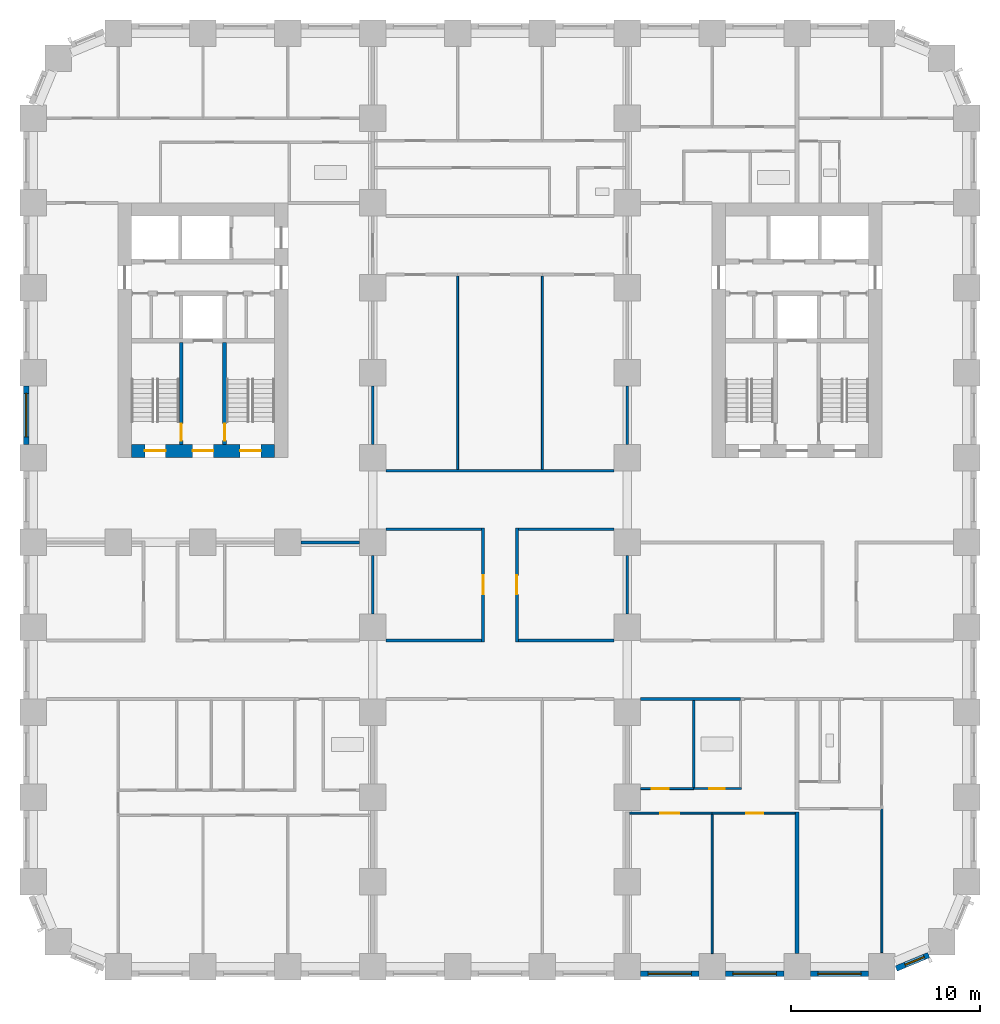
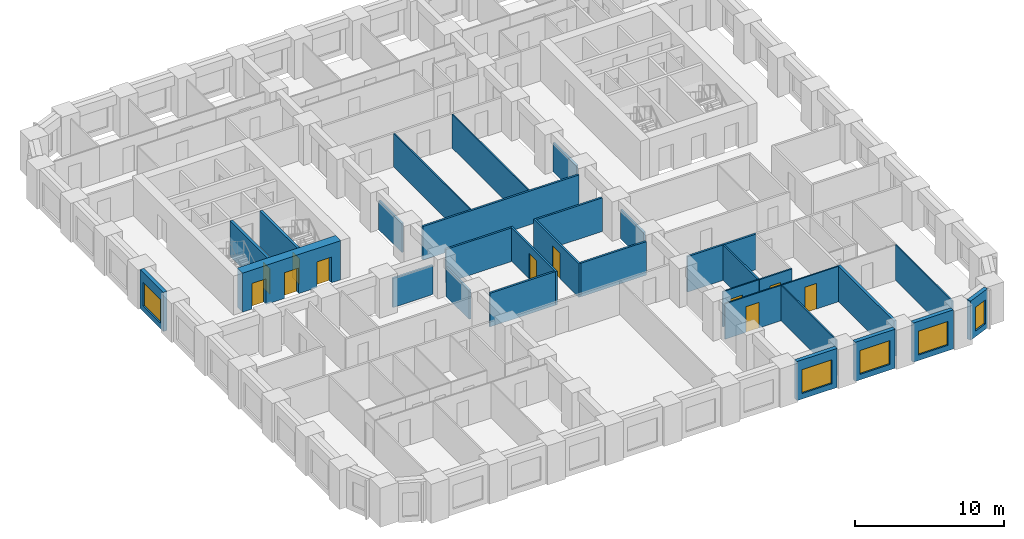
# One storey, part 4 of 13: 31 walls, 11 doors, 5 windows, 16 openings.
"""IFC4 building model written with IfcOpenShell, lengths in metres."""

from ifc_helpers import new_model, si_unit, direction, frame, frame_2d, origin, place, context, subcontext, project, spatial, rectangle, extrude, material, layer, layer_set, type_object, element, fill, save


model = new_model("IFC4")

# Units and contexts
model_context = context("Model", 3, precision=1e-05, world=origin(), true_north=direction((0.0, 1.0)))
body_context = subcontext(model_context, "Body", "Model", "MODEL_VIEW")
ifc_project = project(units=[si_unit("LENGTHUNIT", "METRE"), si_unit("AREAUNIT", "SQUARE_METRE"), si_unit("VOLUMEUNIT", "CUBIC_METRE"), si_unit("PLANEANGLEUNIT", "RADIAN"), si_unit("MASSUNIT", "GRAM", prefix="KILO")], contexts=[model_context])

# Site, building, storey
site_placement = place(None, origin())
site = spatial("IfcSite", under=ifc_project, at=site_placement, CompositionType="ELEMENT")
building_placement = place(site_placement, origin())
building = spatial("IfcBuilding", under=site, at=building_placement, Name="Girih Gate Residences", CompositionType="ELEMENT")
storey_placement = place(building_placement, frame((0.0, 0.0, 43.199951171875)))
storey = spatial("IfcBuildingStorey", under=building, at=storey_placement, Name="L10", CompositionType="ELEMENT", Elevation=43.199951171875)

# Wall
ifc_material_1 = material(Name="Gypsum board on steel studs", Category="steel")
ifc_layer_1 = layer(ifc_material_1, 0.14990234375)
ifc_layer_set_1 = layer_set([ifc_layer_1], Name="Compartment wall 150 mm")
wall_type_1 = type_object("IfcWallType", Name="Compartment wall 150 mm", PredefinedType="PARTITIONING", material=ifc_layer_set_1)
wall_1_placement = place(storey_placement, frame((32.199951171875, 14.199951171875, 0.0), z_axis=(0.0, 0.0, 1.0), x_axis=(1.0, 0.0, 0.0)))
element("IfcWall", 1, at=wall_1_placement, inside=storey, type_object=wall_type_1, Name="L10 partition", PredefinedType="PARTITIONING", context=body_context, shape_type="SweptSolid", body=[
    extrude(rectangle(XDim=5.300048828125, YDim=0.14990234375, at=frame_2d((2.64990234375, 0.0))), origin(), (0.0, 0.0, 1.0), 2.900146484375),
])

# Wall, opening, door
wall_2_placement = place(storey_placement, frame((23.85009765625, 17.22509765625, 0.0), z_axis=(0.0, 0.0, 1.0), x_axis=(0.0, 1.0, 0.0)))
wall_2 = element("IfcWall", 2, at=wall_2_placement, inside=storey, type_object=wall_type_1, Name="L10 partition", PredefinedType="PARTITIONING", context=body_context, shape_type="SweptSolid", body=[
    extrude(rectangle(XDim=6.0498046875, YDim=0.14990234375, at=frame_2d((3.02490234375, 0.0))), origin(), (0.0, 0.0, 1.0), 2.75),
])
opening_1_placement = place(wall_2_placement, frame((2.52490234375, 0.0, 0.0)))
opening_1 = element("IfcOpeningElement", 3, at=opening_1_placement, cuts=wall_2, Name="Opening A10-051", PredefinedType="OPENING", context=body_context, shape_type="SweptSolid", body=[
    extrude(rectangle(XDim=1.0, YDim=2.10009765625, at=frame_2d((0.5, 1.050048828125))), frame((0.0, 0.0849609375, 0.0), z_axis=(0.0, -1.0, 0.0), x_axis=(1.0, 0.0, 0.0)), (0.0, 0.0, 1.0), 0.169921875),
])
ifc_material_2 = material(Name="Timber, fire-rated core", Category="wood")
door_type_1 = type_object("IfcDoorType", Name="Amenity room door 1000x2100 FD30S", OperationType="NOTDEFINED", PredefinedType="DOOR", material=ifc_material_2)
door_1_placement = place(opening_1_placement, origin())
door_1 = element("IfcDoor", 4, at=door_1_placement, inside=storey, type_object=door_type_1, Name="Door A10-051", OperationType="SINGLE_SWING_RIGHT", OverallHeight=2.10009765625, OverallWidth=1.0, PredefinedType="DOOR", context=body_context, shape_type="SweptSolid", body=[
    extrude(rectangle(XDim=1.0, YDim=2.10009765625, at=frame_2d((0.5, 1.050048828125))), frame((0.0, 0.02490234375, 0.0), z_axis=(0.0, -1.0, 0.0), x_axis=(1.0, 0.0, 0.0)), (0.0, 0.0, 1.0), 0.050048828125),
])
fill(opening_1, door_1)

wall_3_placement = place(storey_placement, frame((25.64990234375, 23.27490234375, 0.0), z_axis=(0.0, 0.0, 1.0), x_axis=(0.0, -1.0, 0.0)))
wall_3 = element("IfcWall", 5, at=wall_3_placement, inside=storey, type_object=wall_type_1, Name="L10 partition", PredefinedType="PARTITIONING", context=body_context, shape_type="SweptSolid", body=[
    extrude(rectangle(XDim=6.0498046875, YDim=0.14990234375, at=frame_2d((3.02490234375, 0.0))), origin(), (0.0, 0.0, 1.0), 2.75),
])
opening_2_placement = place(wall_3_placement, frame((2.52490234375, 0.0, 0.0)))
opening_2 = element("IfcOpeningElement", 6, at=opening_2_placement, cuts=wall_3, Name="Opening A10-052", PredefinedType="OPENING", context=body_context, shape_type="SweptSolid", body=[
    extrude(rectangle(XDim=1.0, YDim=2.10009765625, at=frame_2d((0.5, 1.050048828125))), frame((0.0, 0.0849609375, 0.0), z_axis=(0.0, -1.0, 0.0), x_axis=(1.0, 0.0, 0.0)), (0.0, 0.0, 1.0), 0.169921875),
])
door_2_placement = place(opening_2_placement, origin())
door_2 = element("IfcDoor", 7, at=door_2_placement, inside=storey, type_object=door_type_1, Name="Door A10-052", OperationType="SINGLE_SWING_RIGHT", OverallHeight=2.10009765625, OverallWidth=1.0, PredefinedType="DOOR", context=body_context, shape_type="SweptSolid", body=[
    extrude(rectangle(XDim=1.0, YDim=2.10009765625, at=frame_2d((0.5, 1.050048828125))), frame((0.0, 0.02490234375, 0.0), z_axis=(0.0, -1.0, 0.0), x_axis=(1.0, 0.0, 0.0)), (0.0, 0.0, 1.0), 0.050048828125),
])
fill(opening_2, door_2)

# Walls
for number, where, z_axis, x_axis, name in (
    (8, (18.699951171875, 17.300048828125, 0.0), (0.0, 0.0, 1.0), (1.0, 0.0, 0.0), "L10 partition"),
    (9, (25.72509765625, 17.300048828125, 0.0), (0.0, 0.0, 1.0), (1.0, 0.0, 0.0), "L10 partition"),
):
    element("IfcWall", number, at=place(storey_placement, frame(where, z_axis=z_axis, x_axis=x_axis)), inside=storey, type_object=wall_type_1, Name=name, PredefinedType="PARTITIONING", context=body_context, shape_type="SweptSolid", body=[
        extrude(rectangle(XDim=5.074951171875, YDim=0.14990234375, at=frame_2d((2.53759765625, 0.0))), origin(), (0.0, 0.0, 1.0), 2.75),
    ])
wall_4_placement = place(storey_placement, frame((18.0, 27.699951171875, 0.0), z_axis=(0.0, 0.0, 1.0), x_axis=(0.0, 1.0, 0.0)))
element("IfcWall", 10, at=wall_4_placement, inside=storey, type_object=wall_type_1, Name="L10 partition", PredefinedType="PARTITIONING", context=body_context, shape_type="SweptSolid", body=[
    extrude(rectangle(XDim=3.10009765625, YDim=0.14990234375, at=frame_2d((1.550048828125, 0.0))), origin(), (0.0, 0.0, 1.0), 2.380126953125),
])
wall_5_placement = place(storey_placement, frame((18.699951171875, 26.300048828125, 0.0), z_axis=(0.0, 0.0, 1.0), x_axis=(1.0, 0.0, 0.0)))
element("IfcWall", 11, at=wall_5_placement, inside=storey, type_object=wall_type_1, Name="L10 partition", PredefinedType="PARTITIONING", context=body_context, shape_type="SweptSolid", body=[
    extrude(rectangle(XDim=12.10009765625, YDim=0.14990234375, at=frame_2d((6.050048828125, 0.0))), origin(), (0.0, 0.0, 1.0), 2.75),
])
wall_6_placement = place(storey_placement, frame((31.5, 27.699951171875, 0.0), z_axis=(0.0, 0.0, 1.0), x_axis=(0.0, 1.0, 0.0)))
element("IfcWall", 12, at=wall_6_placement, inside=storey, type_object=wall_type_1, Name="L10 partition", PredefinedType="PARTITIONING", context=body_context, shape_type="SweptSolid", body=[
    extrude(rectangle(XDim=3.10009765625, YDim=0.14990234375, at=frame_2d((1.550048828125, 0.0))), origin(), (0.0, 0.0, 1.0), 2.380126953125),
])
wall_7_placement = place(storey_placement, frame((18.699951171875, 23.199951171875, 0.0), z_axis=(0.0, 0.0, 1.0), x_axis=(1.0, 0.0, 0.0)))
element("IfcWall", 13, at=wall_7_placement, inside=storey, type_object=wall_type_1, Name="L10 partition", PredefinedType="PARTITIONING", context=body_context, shape_type="SweptSolid", body=[
    extrude(rectangle(XDim=5.074951171875, YDim=0.14990234375, at=frame_2d((2.53759765625, 0.0))), origin(), (0.0, 0.0, 1.0), 2.75),
])
wall_8_placement = place(storey_placement, frame((18.0, 18.699951171875, 0.0), z_axis=(0.0, 0.0, 1.0), x_axis=(0.0, 1.0, 0.0)))
element("IfcWall", 14, at=wall_8_placement, inside=storey, type_object=wall_type_1, Name="L10 partition", PredefinedType="PARTITIONING", context=body_context, shape_type="SweptSolid", body=[
    extrude(rectangle(XDim=3.10009765625, YDim=0.14990234375, at=frame_2d((1.550048828125, 0.0))), origin(), (0.0, 0.0, 1.0), 2.380126953125),
])
wall_9_placement = place(storey_placement, frame((25.72509765625, 23.199951171875, 0.0), z_axis=(0.0, 0.0, 1.0), x_axis=(1.0, 0.0, 0.0)))
element("IfcWall", 15, at=wall_9_placement, inside=storey, type_object=wall_type_1, Name="L10 partition", PredefinedType="PARTITIONING", context=body_context, shape_type="SweptSolid", body=[
    extrude(rectangle(XDim=5.074951171875, YDim=0.14990234375, at=frame_2d((2.53759765625, 0.0))), origin(), (0.0, 0.0, 1.0), 2.75),
])
for number, where, z_axis, x_axis, name in (
    (16, (31.5, 18.699951171875, 0.0), (0.0, 0.0, 1.0), (0.0, 1.0, 0.0), "L10 partition"),
    (17, (14.199951171875, 22.5, 0.0), (0.0, 0.0, 1.0), (1.0, 0.0, 0.0), "L10 partition"),
):
    element("IfcWall", number, at=place(storey_placement, frame(where, z_axis=z_axis, x_axis=x_axis)), inside=storey, type_object=wall_type_1, Name=name, PredefinedType="PARTITIONING", context=body_context, shape_type="SweptSolid", body=[
        extrude(rectangle(XDim=3.10009765625, YDim=0.14990234375, at=frame_2d((1.550048828125, 0.0))), origin(), (0.0, 0.0, 1.0), 2.380126953125),
    ])

# Wall, openings, doors
ifc_material_3 = material(Name="Concrete C60/75", Category="concrete")
ifc_layer_2 = layer(ifc_material_3, 0.699951171875)
ifc_layer_set_2 = layer_set([ifc_layer_2], Name="Core wall RC 700 Concrete C60/75")
wall_type_2 = type_object("IfcWallType", Name="Core wall RC 700 Concrete C60/75", PredefinedType="SOLIDWALL", material=ifc_layer_set_2)
wall_10_placement = place(storey_placement, frame((5.199951171875, 27.35009765625, 0.0), z_axis=(0.0, 0.0, 1.0), x_axis=(1.0, 0.0, 0.0)))
wall_10 = element("IfcWall", 18, at=wall_10_placement, inside=storey, type_object=wall_type_2, Name="Core wall W-S L10", PredefinedType="SOLIDWALL", context=body_context, shape_type="SweptSolid", body=[
    extrude(rectangle(XDim=7.60009765625, YDim=0.699951171875, at=frame_2d((3.800048828125, 0.0))), origin(), (0.0, 0.0, 1.0), 3.199951171875),
])
opening_3_placement = place(wall_10_placement, frame((0.72509765625, 0.0, 0.0)))
opening_3 = element("IfcOpeningElement", 19, at=opening_3_placement, cuts=wall_10, Name="Opening D-L10-W-010", PredefinedType="OPENING", context=body_context, shape_type="SweptSolid", body=[
    extrude(rectangle(XDim=1.10009765625, YDim=2.10009765625, at=frame_2d((0.550048828125, 1.050048828125))), frame((0.0, 0.35986328125, 0.0), z_axis=(0.0, -1.0, 0.0), x_axis=(1.0, 0.0, 0.0)), (0.0, 0.0, 1.0), 0.719970703125),
])
opening_4_placement = place(wall_10_placement, frame((3.25, 0.0, 0.0)))
opening_4 = element("IfcOpeningElement", 20, at=opening_4_placement, cuts=wall_10, Name="Opening D-L10-W-011", PredefinedType="OPENING", context=body_context, shape_type="SweptSolid", body=[
    extrude(rectangle(XDim=1.10009765625, YDim=2.10009765625, at=frame_2d((0.550048828125, 1.050048828125))), frame((0.0, 0.35986328125, 0.0), z_axis=(0.0, -1.0, 0.0), x_axis=(1.0, 0.0, 0.0)), (0.0, 0.0, 1.0), 0.719970703125),
])
opening_5_placement = place(wall_10_placement, frame((5.77490234375, 0.0, 0.0)))
opening_5 = element("IfcOpeningElement", 21, at=opening_5_placement, cuts=wall_10, Name="Opening D-L10-W-012", PredefinedType="OPENING", context=body_context, shape_type="SweptSolid", body=[
    extrude(rectangle(XDim=1.10009765625, YDim=2.10009765625, at=frame_2d((0.550048828125, 1.050048828125))), frame((0.0, 0.35986328125, 0.0), z_axis=(0.0, -1.0, 0.0), x_axis=(1.0, 0.0, 0.0)), (0.0, 0.0, 1.0), 0.719970703125),
])
ifc_material_4 = material(Name="Painted steel, fire-resisting", Category="steel")
door_type_2 = type_object("IfcDoorType", Name="Fire door 1100x2100", OperationType="SINGLE_SWING_LEFT", PredefinedType="DOOR", material=ifc_material_4)
door_3_placement = place(opening_3_placement, origin())
door_3 = element("IfcDoor", 22, at=door_3_placement, inside=storey, type_object=door_type_2, Name="L10 W core door sta-out", OperationType="SINGLE_SWING_LEFT", OverallHeight=2.10009765625, OverallWidth=1.10009765625, PredefinedType="DOOR", context=body_context, shape_type="SweptSolid", body=[
    extrude(rectangle(XDim=1.10009765625, YDim=2.10009765625, at=frame_2d((0.550048828125, 1.050048828125))), frame((0.0, 0.02490234375, 0.0), z_axis=(0.0, -1.0, 0.0), x_axis=(1.0, 0.0, 0.0)), (0.0, 0.0, 1.0), 0.050048828125),
])
fill(opening_3, door_3)
door_4_placement = place(opening_4_placement, origin())
door_4 = element("IfcDoor", 23, at=door_4_placement, inside=storey, type_object=door_type_2, Name="L10 W core door ffl-out", OperationType="SINGLE_SWING_LEFT", OverallHeight=2.10009765625, OverallWidth=1.10009765625, PredefinedType="DOOR", context=body_context, shape_type="SweptSolid", body=[
    extrude(rectangle(XDim=1.10009765625, YDim=2.10009765625, at=frame_2d((0.550048828125, 1.050048828125))), frame((0.0, 0.02490234375, 0.0), z_axis=(0.0, -1.0, 0.0), x_axis=(1.0, 0.0, 0.0)), (0.0, 0.0, 1.0), 0.050048828125),
])
fill(opening_4, door_4)
door_5_placement = place(opening_5_placement, origin())
door_5 = element("IfcDoor", 24, at=door_5_placement, inside=storey, type_object=door_type_2, Name="L10 W core door stb-out", OperationType="SINGLE_SWING_LEFT", OverallHeight=2.10009765625, OverallWidth=1.10009765625, PredefinedType="DOOR", context=body_context, shape_type="SweptSolid", body=[
    extrude(rectangle(XDim=1.10009765625, YDim=2.10009765625, at=frame_2d((0.550048828125, 1.050048828125))), frame((0.0, 0.02490234375, 0.0), z_axis=(0.0, -1.0, 0.0), x_axis=(1.0, 0.0, 0.0)), (0.0, 0.0, 1.0), 0.050048828125),
])
fill(opening_5, door_5)

# Wall
ifc_layer_3 = layer(ifc_material_1, 0.10009765625)
ifc_layer_set_3 = layer_set([ifc_layer_3], Name="Partition 100 mm")
wall_type_3 = type_object("IfcWallType", Name="Partition 100 mm", PredefinedType="PARTITIONING", material=ifc_layer_set_3)
wall_11_placement = place(storey_placement, frame((45.0, 0.757568359375, 0.0), z_axis=(0.0, 0.0, 1.0), x_axis=(0.0, 1.0, 0.0)))
element("IfcWall", 25, at=wall_11_placement, inside=storey, type_object=wall_type_3, Name="L10 partition", PredefinedType="PARTITIONING", context=body_context, shape_type="SweptSolid", body=[
    extrude(rectangle(XDim=7.63232421875, YDim=0.10009765625, at=frame_2d((3.816162109375, 0.0))), origin(), (0.0, 0.0, 1.0), 2.900146484375),
])

# Wall, opening, door
wall_12_placement = place(storey_placement, frame((40.39990234375, 8.14990234375, 0.0), z_axis=(0.0, 0.0, 1.0), x_axis=(-1.0, 0.0, 0.0)))
wall_12 = element("IfcWall", 26, at=wall_12_placement, inside=storey, type_object=wall_type_3, Name="L10 partition", PredefinedType="PARTITIONING", context=body_context, shape_type="SweptSolid", body=[
    extrude(rectangle(XDim=4.39990234375, YDim=0.10009765625, at=frame_2d((2.199951171875, 0.0))), origin(), (0.0, 0.0, 1.0), 2.900146484375),
])
opening_6_placement = place(wall_12_placement, frame((1.699951171875, 0.0, 0.0)))
opening_6 = element("IfcOpeningElement", 27, at=opening_6_placement, cuts=wall_12, Name="Opening A10-024", PredefinedType="OPENING", context=body_context, shape_type="SweptSolid", body=[
    extrude(rectangle(XDim=0.89990234375, YDim=2.10009765625, at=frame_2d((0.449951171875, 1.050048828125))), frame((0.0, 0.06005859375, 0.0), z_axis=(0.0, -1.0, 0.0), x_axis=(1.0, 0.0, 0.0)), (0.0, 0.0, 1.0), 0.1201171875),
])
ifc_material_5 = material(Name="Timber", Category="wood")
door_type_3 = type_object("IfcDoorType", Name="Bedroom door 900x2100", OperationType="NOTDEFINED", PredefinedType="DOOR", material=ifc_material_5)
door_6_placement = place(opening_6_placement, origin())
door_6 = element("IfcDoor", 28, at=door_6_placement, inside=storey, type_object=door_type_3, Name="Door A10-024", OperationType="SINGLE_SWING_LEFT", OverallHeight=2.10009765625, OverallWidth=0.89990234375, PredefinedType="DOOR", context=body_context, shape_type="SweptSolid", body=[
    extrude(rectangle(XDim=0.89990234375, YDim=2.10009765625, at=frame_2d((0.449951171875, 1.050048828125))), frame((0.0, 0.02490234375, 0.0), z_axis=(0.0, -1.0, 0.0), x_axis=(1.0, 0.0, 0.0)), (0.0, 0.0, 1.0), 0.050048828125),
])
fill(opening_6, door_6)

# Wall
wall_13_placement = place(storey_placement, frame((36.0, 0.699951171875, 0.0), z_axis=(0.0, 0.0, 1.0), x_axis=(0.0, 1.0, 0.0)))
element("IfcWall", 29, at=wall_13_placement, inside=storey, type_object=wall_type_3, Name="L10 partition", PredefinedType="PARTITIONING", context=body_context, shape_type="SweptSolid", body=[
    extrude(rectangle(XDim=7.400146484375, YDim=0.10009765625, at=frame_2d((3.7001953125, 0.0))), origin(), (0.0, 0.0, 1.0), 2.900146484375),
])

# Wall, opening, door
wall_14_placement = place(storey_placement, frame((32.199951171875, 9.449951171875, 0.0), z_axis=(0.0, 0.0, 1.0), x_axis=(1.0, 0.0, 0.0)))
wall_14 = element("IfcWall", 30, at=wall_14_placement, inside=storey, type_object=wall_type_3, Name="L10 partition", PredefinedType="PARTITIONING", context=body_context, shape_type="SweptSolid", body=[
    extrude(rectangle(XDim=2.8154296875, YDim=0.10009765625, at=frame_2d((1.40771484375, 0.0))), origin(), (0.0, 0.0, 1.0), 2.900146484375),
])
opening_7_placement = place(wall_14_placement, frame((0.607666015625, 0.0, 0.0)))
opening_7 = element("IfcOpeningElement", 31, at=opening_7_placement, cuts=wall_14, Name="Opening A10-025", PredefinedType="OPENING", context=body_context, shape_type="SweptSolid", body=[
    extrude(rectangle(XDim=0.89990234375, YDim=2.10009765625, at=frame_2d((0.449951171875, 1.050048828125))), frame((0.0, 0.06005859375, 0.0), z_axis=(0.0, -1.0, 0.0), x_axis=(1.0, 0.0, 0.0)), (0.0, 0.0, 1.0), 0.1201171875),
])
door_type_4 = type_object("IfcDoorType", Name="Kitchen door 900x2100", OperationType="NOTDEFINED", PredefinedType="DOOR", material=ifc_material_5)
door_7_placement = place(opening_7_placement, origin())
door_7 = element("IfcDoor", 32, at=door_7_placement, inside=storey, type_object=door_type_4, Name="Door A10-025", OperationType="SINGLE_SWING_LEFT", OverallHeight=2.10009765625, OverallWidth=0.89990234375, PredefinedType="DOOR", context=body_context, shape_type="SweptSolid", body=[
    extrude(rectangle(XDim=0.89990234375, YDim=2.10009765625, at=frame_2d((0.449951171875, 1.050048828125))), frame((0.0, 0.02490234375, 0.0), z_axis=(0.0, -1.0, 0.0), x_axis=(1.0, 0.0, 0.0)), (0.0, 0.0, 1.0), 0.050048828125),
])
fill(opening_7, door_7)

wall_15_placement = place(storey_placement, frame((36.0, 8.14990234375, 0.0), z_axis=(0.0, 0.0, 1.0), x_axis=(-1.0, 0.0, 0.0)))
wall_15 = element("IfcWall", 33, at=wall_15_placement, inside=storey, type_object=wall_type_3, Name="L10 partition", PredefinedType="PARTITIONING", context=body_context, shape_type="SweptSolid", body=[
    extrude(rectangle(XDim=4.375, YDim=0.10009765625, at=frame_2d((2.1875, 0.0))), origin(), (0.0, 0.0, 1.0), 2.900146484375),
])
opening_8_placement = place(wall_15_placement, frame((1.75, 0.0, 0.0)))
opening_8 = element("IfcOpeningElement", 34, at=opening_8_placement, cuts=wall_15, Name="Opening A10-026", PredefinedType="OPENING", context=body_context, shape_type="SweptSolid", body=[
    extrude(rectangle(XDim=1.0, YDim=2.10009765625, at=frame_2d((0.5, 1.050048828125))), frame((0.0, 0.06005859375, 0.0), z_axis=(0.0, -1.0, 0.0), x_axis=(1.0, 0.0, 0.0)), (0.0, 0.0, 1.0), 0.1201171875),
])
door_type_5 = type_object("IfcDoorType", Name="Living room door 1000x2100", OperationType="NOTDEFINED", PredefinedType="DOOR", material=ifc_material_5)
door_8_placement = place(opening_8_placement, origin())
door_8 = element("IfcDoor", 35, at=door_8_placement, inside=storey, type_object=door_type_5, Name="Door A10-026", OperationType="SINGLE_SWING_RIGHT", OverallHeight=2.10009765625, OverallWidth=1.0, PredefinedType="DOOR", context=body_context, shape_type="SweptSolid", body=[
    extrude(rectangle(XDim=1.0, YDim=2.10009765625, at=frame_2d((0.5, 1.050048828125))), frame((0.0, 0.02490234375, 0.0), z_axis=(0.0, -1.0, 0.0), x_axis=(1.0, 0.0, 0.0)), (0.0, 0.0, 1.0), 0.050048828125),
])
fill(opening_8, door_8)

# Walls
for number, where, z_axis, x_axis, name in (
    (36, (22.5, 26.375, 0.0), (0.0, 0.0, 1.0), (0.0, 1.0, 0.0), "L10 partition"),
    (37, (27.0, 26.375, 0.0), (0.0, 0.0, 1.0), (0.0, 1.0, 0.0), "L10 partition"),
):
    element("IfcWall", number, at=place(storey_placement, frame(where, z_axis=z_axis, x_axis=x_axis)), inside=storey, type_object=wall_type_3, Name=name, PredefinedType="PARTITIONING", context=body_context, shape_type="SweptSolid", body=[
        extrude(rectangle(XDim=10.25, YDim=0.10009765625, at=frame_2d((5.125, 0.0))), origin(), (0.0, 0.0, 1.0), 2.75),
    ])
ifc_layer_4 = layer(ifc_material_1, 0.199951171875)
ifc_layer_set_4 = layer_set([ifc_layer_4], Name="Party wall 200 mm")
wall_type_4 = type_object("IfcWallType", Name="Party wall 200 mm", PredefinedType="PARTITIONING", material=ifc_layer_set_4)
wall_16_placement = place(storey_placement, frame((40.5, 0.699951171875, 0.0), z_axis=(0.0, 0.0, 1.0), x_axis=(0.0, 1.0, 0.0)))
element("IfcWall", 38, at=wall_16_placement, inside=storey, type_object=wall_type_4, Name="L10 partition", PredefinedType="PARTITIONING", context=body_context, shape_type="SweptSolid", body=[
    extrude(rectangle(XDim=7.5, YDim=0.199951171875, at=frame_2d((3.75, 0.0))), origin(), (0.0, 0.0, 1.0), 2.900146484375),
])

# Wall, opening, window
ifc_material_6 = material(Name="Precast concrete C50/60", Category="concrete")
ifc_layer_5 = layer(ifc_material_6, 0.080078125, Name="Outer leaf")
ifc_material_7 = material(Name="Rigid PIR insulation")
ifc_layer_6 = layer(ifc_material_7, 0.14990234375, Name="Insulation")
ifc_material_8 = material(Name="Precast concrete C40/50", Category="concrete")
ifc_layer_7 = layer(ifc_material_8, 0.070068359375, Name="Inner leaf")
ifc_layer_set_5 = layer_set([ifc_layer_5, ifc_layer_6, ifc_layer_7], Name="Precast concrete C50/60 external wall 300")
wall_type_5 = type_object("IfcWallType", Name="Precast concrete C50/60 external wall 300", PredefinedType="SOLIDWALL", material=ifc_layer_set_5)
wall_17_placement = place(storey_placement, frame((35.300048828125, -0.375, 0.0), z_axis=(0.0, 0.0, 1.0), x_axis=(-1.0, 0.0, 0.0)))
wall_17 = element("IfcWall", 39, at=wall_17_placement, inside=storey, type_object=wall_type_5, Name="External wall S0045_0000.6", PredefinedType="SOLIDWALL", context=body_context, shape_type="SweptSolid", body=[
    extrude(rectangle(XDim=3.10009765625, YDim=0.300048828125, at=frame_2d((1.550048828125, 0.0))), origin(), (0.0, 0.0, 1.0), 3.199951171875),
])
opening_9_placement = place(wall_17_placement, frame((0.39990234375, 0.0, 0.449951171875)))
opening_9 = element("IfcOpeningElement", 40, at=opening_9_placement, cuts=wall_17, Name="Opening W-1", PredefinedType="OPENING", context=body_context, shape_type="SweptSolid", body=[
    extrude(rectangle(XDim=2.300048828125, YDim=1.949951171875, at=frame_2d((1.14990234375, 0.97509765625))), frame((0.0, 0.159912109375, 0.0), z_axis=(0.0, -1.0, 0.0), x_axis=(1.0, 0.0, 0.0)), (0.0, 0.0, 1.0), 0.320068359375),
])
ifc_material_9 = material(Name="Double glazing in aluminium frame", Category="aluminium")
window_type_1 = type_object("IfcWindowType", Name="Window W-1 2300x1950", PartitioningType="SINGLE_PANEL", PredefinedType="WINDOW", material=ifc_material_9)
window_1_placement = place(opening_9_placement, origin())
window_1 = element("IfcWindow", 41, at=window_1_placement, inside=storey, type_object=window_type_1, Name="Window W-1 S0045_0000.6", OverallHeight=1.949951171875, OverallWidth=2.300048828125, PartitioningType="SINGLE_PANEL", PredefinedType="WINDOW", context=body_context, shape_type="SweptSolid", body=[
    extrude(rectangle(XDim=2.300048828125, YDim=1.949951171875, at=frame_2d((1.14990234375, 0.97509765625))), frame((0.0, 0.030029296875, 0.0), z_axis=(0.0, -1.0, 0.0), x_axis=(1.0, 0.0, 0.0)), (0.0, 0.0, 1.0), 0.06005859375),
])
fill(opening_9, window_1)

wall_18_placement = place(storey_placement, frame((39.800048828125, -0.375, 0.0), z_axis=(0.0, 0.0, 1.0), x_axis=(-1.0, 0.0, 0.0)))
wall_18 = element("IfcWall", 42, at=wall_18_placement, inside=storey, type_object=wall_type_5, Name="External wall S0045_0000.7", PredefinedType="SOLIDWALL", context=body_context, shape_type="SweptSolid", body=[
    extrude(rectangle(XDim=3.10009765625, YDim=0.300048828125, at=frame_2d((1.550048828125, 0.0))), origin(), (0.0, 0.0, 1.0), 3.199951171875),
])
opening_10_placement = place(wall_18_placement, frame((0.39990234375, 0.0, 0.449951171875)))
opening_10 = element("IfcOpeningElement", 43, at=opening_10_placement, cuts=wall_18, Name="Opening W-1", PredefinedType="OPENING", context=body_context, shape_type="SweptSolid", body=[
    extrude(rectangle(XDim=2.300048828125, YDim=1.949951171875, at=frame_2d((1.14990234375, 0.97509765625))), frame((0.0, 0.159912109375, 0.0), z_axis=(0.0, -1.0, 0.0), x_axis=(1.0, 0.0, 0.0)), (0.0, 0.0, 1.0), 0.320068359375),
])
window_2_placement = place(opening_10_placement, origin())
window_2 = element("IfcWindow", 44, at=window_2_placement, inside=storey, type_object=window_type_1, Name="Window W-1 S0045_0000.7", OverallHeight=1.949951171875, OverallWidth=2.300048828125, PartitioningType="SINGLE_PANEL", PredefinedType="WINDOW", context=body_context, shape_type="SweptSolid", body=[
    extrude(rectangle(XDim=2.300048828125, YDim=1.949951171875, at=frame_2d((1.14990234375, 0.97509765625))), frame((0.0, 0.030029296875, 0.0), z_axis=(0.0, -1.0, 0.0), x_axis=(1.0, 0.0, 0.0)), (0.0, 0.0, 1.0), 0.06005859375),
])
fill(opening_10, window_2)

wall_19_placement = place(storey_placement, frame((44.300048828125, -0.375, 0.0), z_axis=(0.0, 0.0, 1.0), x_axis=(-1.0, 0.0, 0.0)))
wall_19 = element("IfcWall", 45, at=wall_19_placement, inside=storey, type_object=wall_type_5, Name="External wall S0045_0000.8", PredefinedType="SOLIDWALL", context=body_context, shape_type="SweptSolid", body=[
    extrude(rectangle(XDim=3.10009765625, YDim=0.300048828125, at=frame_2d((1.550048828125, 0.0))), origin(), (0.0, 0.0, 1.0), 3.199951171875),
])
opening_11_placement = place(wall_19_placement, frame((0.39990234375, 0.0, 0.449951171875)))
opening_11 = element("IfcOpeningElement", 46, at=opening_11_placement, cuts=wall_19, Name="Opening W-1", PredefinedType="OPENING", context=body_context, shape_type="SweptSolid", body=[
    extrude(rectangle(XDim=2.300048828125, YDim=1.949951171875, at=frame_2d((1.14990234375, 0.97509765625))), frame((0.0, 0.159912109375, 0.0), z_axis=(0.0, -1.0, 0.0), x_axis=(1.0, 0.0, 0.0)), (0.0, 0.0, 1.0), 0.320068359375),
])
window_3_placement = place(opening_11_placement, origin())
window_3 = element("IfcWindow", 47, at=window_3_placement, inside=storey, type_object=window_type_1, Name="Window W-1 S0045_0000.8", OverallHeight=1.949951171875, OverallWidth=2.300048828125, PartitioningType="SINGLE_PANEL", PredefinedType="WINDOW", context=body_context, shape_type="SweptSolid", body=[
    extrude(rectangle(XDim=2.300048828125, YDim=1.949951171875, at=frame_2d((1.14990234375, 0.97509765625))), frame((0.0, 0.030029296875, 0.0), z_axis=(0.0, -1.0, 0.0), x_axis=(1.0, 0.0, 0.0)), (0.0, 0.0, 1.0), 0.06005859375),
])
fill(opening_11, window_3)

wall_20_placement = place(storey_placement, frame((47.48046875, 0.62158203125, 0.0), z_axis=(0.0, 0.0, 1.0), x_axis=(-0.923903565336, -0.38262540684, 0.0)))
wall_20 = element("IfcWall", 48, at=wall_20_placement, inside=storey, type_object=wall_type_5, Name="External wall SE0450_0000.0", PredefinedType="SOLIDWALL", context=body_context, shape_type="SweptSolid", body=[
    extrude(rectangle(XDim=1.864990234375, YDim=0.300048828125, at=frame_2d((0.9326171875, 0.0))), origin(), (0.0, 0.0, 1.0), 3.199951171875),
])
opening_12_placement = place(wall_20_placement, frame((0.257568359375, 0.0, 0.449951171875)))
opening_12 = element("IfcOpeningElement", 49, at=opening_12_placement, cuts=wall_20, Name="Opening W-2C", PredefinedType="OPENING", context=body_context, shape_type="SweptSolid", body=[
    extrude(rectangle(XDim=1.10009765625, YDim=1.949951171875, at=frame_2d((0.550048828125, 0.97509765625))), frame((0.0, 0.159912109375, 0.0), z_axis=(0.0, -1.0, 0.0), x_axis=(1.0, 0.0, 0.0)), (0.0, 0.0, 1.0), 0.320068359375),
])
window_type_2 = type_object("IfcWindowType", Name="Window W-2C 1100x1950", PartitioningType="SINGLE_PANEL", PredefinedType="WINDOW", material=ifc_material_9)
window_4_placement = place(opening_12_placement, origin())
window_4 = element("IfcWindow", 50, at=window_4_placement, inside=storey, type_object=window_type_2, Name="Window W-2C SE0450_0000.0", OverallHeight=1.949951171875, OverallWidth=1.10009765625, PartitioningType="SINGLE_PANEL", PredefinedType="WINDOW", context=body_context, shape_type="SweptSolid", body=[
    extrude(rectangle(XDim=1.10009765625, YDim=1.949951171875, at=frame_2d((0.550048828125, 0.97509765625))), frame((0.0, 0.030029296875, 0.0), z_axis=(0.0, -1.0, 0.0), x_axis=(1.0, 0.0, 0.0)), (0.0, 0.0, 1.0), 0.06005859375),
])
fill(opening_12, window_4)

wall_21_placement = place(storey_placement, frame((-0.375, 27.699951171875, 0.0), z_axis=(0.0, 0.0, 1.0), x_axis=(0.0, 1.0, 0.0)))
wall_21 = element("IfcWall", 51, at=wall_21_placement, inside=storey, type_object=wall_type_5, Name="External wall W0000_0450.3", PredefinedType="SOLIDWALL", context=body_context, shape_type="SweptSolid", body=[
    extrude(rectangle(XDim=3.10009765625, YDim=0.300048828125, at=frame_2d((1.550048828125, 0.0))), origin(), (0.0, 0.0, 1.0), 3.199951171875),
])
opening_13_placement = place(wall_21_placement, frame((0.39990234375, 0.0, 0.449951171875)))
opening_13 = element("IfcOpeningElement", 52, at=opening_13_placement, cuts=wall_21, Name="Opening W-1", PredefinedType="OPENING", context=body_context, shape_type="SweptSolid", body=[
    extrude(rectangle(XDim=2.300048828125, YDim=1.949951171875, at=frame_2d((1.14990234375, 0.97509765625))), frame((0.0, 0.159912109375, 0.0), z_axis=(0.0, -1.0, 0.0), x_axis=(1.0, 0.0, 0.0)), (0.0, 0.0, 1.0), 0.320068359375),
])
window_5_placement = place(opening_13_placement, origin())
window_5 = element("IfcWindow", 53, at=window_5_placement, inside=storey, type_object=window_type_1, Name="Window W-1 W0000_0450.3", OverallHeight=1.949951171875, OverallWidth=2.300048828125, PartitioningType="SINGLE_PANEL", PredefinedType="WINDOW", context=body_context, shape_type="SweptSolid", body=[
    extrude(rectangle(XDim=2.300048828125, YDim=1.949951171875, at=frame_2d((1.14990234375, 0.97509765625))), frame((0.0, 0.030029296875, 0.0), z_axis=(0.0, -1.0, 0.0), x_axis=(1.0, 0.0, 0.0)), (0.0, 0.0, 1.0), 0.06005859375),
])
fill(opening_13, window_5)

# Wall, opening, door
ifc_material_10 = material(Name="Concrete C40/50", Category="concrete")
ifc_layer_8 = layer(ifc_material_10, 0.199951171875)
ifc_layer_set_6 = layer_set([ifc_layer_8], Name="Shaft wall 200")
wall_type_6 = type_object("IfcWallType", Name="Shaft wall 200", PredefinedType="SOLIDWALL", material=ifc_layer_set_6)
wall_22_placement = place(storey_placement, frame((7.85009765625, 27.699951171875, 0.0), z_axis=(0.0, 0.0, 1.0), x_axis=(0.0, 1.0, 0.0)))
wall_22 = element("IfcWall", 54, at=wall_22_placement, inside=storey, type_object=wall_type_6, Name="L10 W core wall V1a", PredefinedType="SOLIDWALL", context=body_context, shape_type="SweptSolid", body=[
    extrude(rectangle(XDim=5.400146484375, YDim=0.199951171875, at=frame_2d((2.7001953125, 0.0))), origin(), (0.0, 0.0, 1.0), 2.900146484375),
])
opening_14_placement = place(wall_22_placement, frame((0.199951171875, 0.0, 0.0)))
opening_14 = element("IfcOpeningElement", 55, at=opening_14_placement, cuts=wall_22, Name="Opening D-L10-W-001", PredefinedType="OPENING", context=body_context, shape_type="SweptSolid", body=[
    extrude(rectangle(XDim=0.89990234375, YDim=2.10009765625, at=frame_2d((0.449951171875, 1.050048828125))), frame((0.0, 0.10986328125, 0.0), z_axis=(0.0, -1.0, 0.0), x_axis=(1.0, 0.0, 0.0)), (0.0, 0.0, 1.0), 0.219970703125),
])
door_type_6 = type_object("IfcDoorType", Name="Fire door 900x2100", OperationType="SINGLE_SWING_LEFT", PredefinedType="DOOR", material=ifc_material_4)
door_9_placement = place(opening_14_placement, origin())
door_9 = element("IfcDoor", 56, at=door_9_placement, inside=storey, type_object=door_type_6, Name="L10 W door stair 1 to firefighting lobby", OperationType="SINGLE_SWING_LEFT", OverallHeight=2.10009765625, OverallWidth=0.89990234375, PredefinedType="DOOR", context=body_context, shape_type="SweptSolid", body=[
    extrude(rectangle(XDim=0.89990234375, YDim=2.10009765625, at=frame_2d((0.449951171875, 1.050048828125))), frame((0.0, 0.02490234375, 0.0), z_axis=(0.0, -1.0, 0.0), x_axis=(1.0, 0.0, 0.0)), (0.0, 0.0, 1.0), 0.050048828125),
])
fill(opening_14, door_9)

wall_23_placement = place(storey_placement, frame((10.14990234375, 27.699951171875, 0.0), z_axis=(0.0, 0.0, 1.0), x_axis=(0.0, 1.0, 0.0)))
wall_23 = element("IfcWall", 57, at=wall_23_placement, inside=storey, type_object=wall_type_6, Name="L10 W core wall V2a", PredefinedType="SOLIDWALL", context=body_context, shape_type="SweptSolid", body=[
    extrude(rectangle(XDim=5.400146484375, YDim=0.199951171875, at=frame_2d((2.7001953125, 0.0))), origin(), (0.0, 0.0, 1.0), 2.900146484375),
])
opening_15_placement = place(wall_23_placement, frame((0.199951171875, 0.0, 0.0)))
opening_15 = element("IfcOpeningElement", 58, at=opening_15_placement, cuts=wall_23, Name="Opening D-L10-W-002", PredefinedType="OPENING", context=body_context, shape_type="SweptSolid", body=[
    extrude(rectangle(XDim=0.89990234375, YDim=2.10009765625, at=frame_2d((0.449951171875, 1.050048828125))), frame((0.0, 0.10986328125, 0.0), z_axis=(0.0, -1.0, 0.0), x_axis=(1.0, 0.0, 0.0)), (0.0, 0.0, 1.0), 0.219970703125),
])
door_10_placement = place(opening_15_placement, origin())
door_10 = element("IfcDoor", 59, at=door_10_placement, inside=storey, type_object=door_type_6, Name="L10 W door stair 2 to firefighting lobby", OperationType="SINGLE_SWING_LEFT", OverallHeight=2.10009765625, OverallWidth=0.89990234375, PredefinedType="DOOR", context=body_context, shape_type="SweptSolid", body=[
    extrude(rectangle(XDim=0.89990234375, YDim=2.10009765625, at=frame_2d((0.449951171875, 1.050048828125))), frame((0.0, 0.02490234375, 0.0), z_axis=(0.0, -1.0, 0.0), x_axis=(1.0, 0.0, 0.0)), (0.0, 0.0, 1.0), 0.050048828125),
])
fill(opening_15, door_10)

ifc_layer_9 = layer(ifc_material_1, 0.125)
ifc_layer_set_7 = layer_set([ifc_layer_9], Name="Wet room wall 125 mm")
wall_type_7 = type_object("IfcWallType", Name="Wet room wall 125 mm", PredefinedType="PARTITIONING", material=ifc_layer_set_7)
wall_24_placement = place(storey_placement, frame((35.015380859375, 9.449951171875, 0.0), z_axis=(0.0, 0.0, 1.0), x_axis=(1.0, 0.0, 0.0)))
wall_24 = element("IfcWall", 60, at=wall_24_placement, inside=storey, type_object=wall_type_7, Name="L10 partition", PredefinedType="PARTITIONING", context=body_context, shape_type="SweptSolid", body=[
    extrude(rectangle(XDim=2.547119140625, YDim=0.125, at=frame_2d((1.2734375, 0.0))), origin(), (0.0, 0.0, 1.0), 2.900146484375),
])
opening_16_placement = place(wall_24_placement, frame((0.84228515625, 0.0, 0.0)))
opening_16 = element("IfcOpeningElement", 61, at=opening_16_placement, cuts=wall_24, Name="Opening A10-023", PredefinedType="OPENING", context=body_context, shape_type="SweptSolid", body=[
    extrude(rectangle(XDim=0.800048828125, YDim=2.10009765625, at=frame_2d((0.39990234375, 1.050048828125))), frame((0.0, 0.072509765625, 0.0), z_axis=(0.0, -1.0, 0.0), x_axis=(1.0, 0.0, 0.0)), (0.0, 0.0, 1.0), 0.14501953125),
])
door_type_7 = type_object("IfcDoorType", Name="Bathroom door 800x2100", OperationType="NOTDEFINED", PredefinedType="DOOR", material=ifc_material_5)
door_11_placement = place(opening_16_placement, origin())
door_11 = element("IfcDoor", 62, at=door_11_placement, inside=storey, type_object=door_type_7, Name="Door A10-023", OperationType="SINGLE_SWING_LEFT", OverallHeight=2.10009765625, OverallWidth=0.800048828125, PredefinedType="DOOR", context=body_context, shape_type="SweptSolid", body=[
    extrude(rectangle(XDim=0.800048828125, YDim=2.10009765625, at=frame_2d((0.39990234375, 1.050048828125))), frame((0.0, 0.02490234375, 0.0), z_axis=(0.0, -1.0, 0.0), x_axis=(1.0, 0.0, 0.0)), (0.0, 0.0, 1.0), 0.050048828125),
])
fill(opening_16, door_11)

# Wall
wall_25_placement = place(storey_placement, frame((35.014892578125, 9.512451171875, 0.0), z_axis=(0.0, 0.0, 1.0), x_axis=(0.0, 1.0, 0.0)))
element("IfcWall", 63, at=wall_25_placement, inside=storey, type_object=wall_type_7, Name="L10 partition", PredefinedType="PARTITIONING", context=body_context, shape_type="SweptSolid", body=[
    extrude(rectangle(XDim=4.612548828125, YDim=0.125, at=frame_2d((2.30615234375, 0.0))), origin(), (0.0, 0.0, 1.0), 2.900146484375),
])

save(model, "model.ifc")
